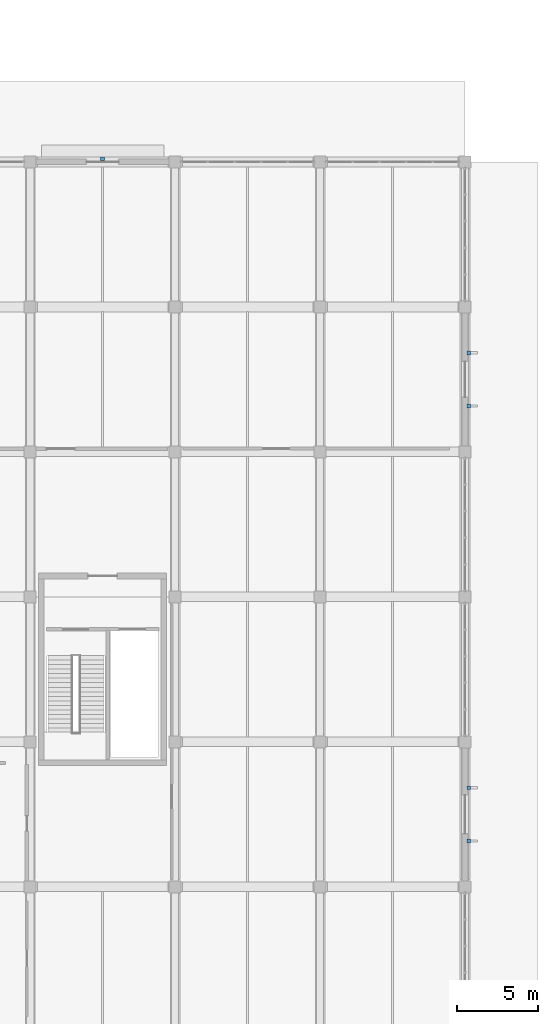
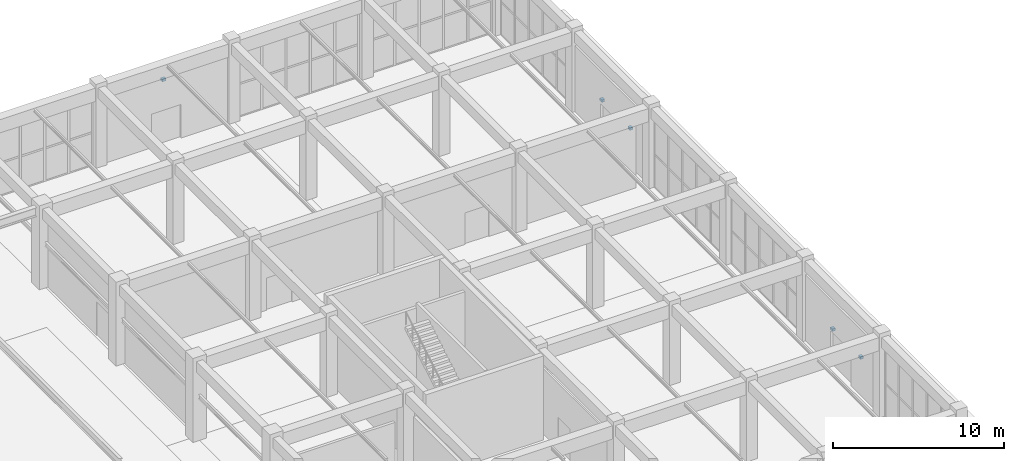
# One storey, part 74 of 91: 5 discrete accessories.
"""IFC4 building model written with IfcOpenShell, lengths in metres."""

import ifcopenshell
import ifcopenshell.guid

model = None  # the IFC model being written
_history = None  # IfcOwnerHistory: only IFC2X3 demands one
_inside = {}  # id of a spatial element -> (the spatial element, [elements in it])
_under = {}  # id of a project, library or spatial element -> (it, [spatial elements below it])
_declared = {}  # id of a project -> (the project, [libraries it declares])
_typed = {}  # id of a type object -> (the type object, [elements of that type])
_made_of = {}  # id of a material, layer set ... -> (it, [elements and type objects made of it])


def new_model(schema):
    """Start an empty IFC model of exactly this schema.

    Asked for "IFC4X3", IfcOpenShell would pick the latest addendum, in which some entities
    have other attributes; the version numbers below select the first issue.
    IFC2X3 requires an IfcOwnerHistory on every rooted entity: one is made here for all.
    """
    global model, _history
    if schema == "IFC4X3":
        model = ifcopenshell.file(schema_version=(4, 3, 0, 0))
    else:
        model = ifcopenshell.file(schema=schema)
    _inside.clear()
    _under.clear()
    _declared.clear()
    _typed.clear()
    _made_of.clear()
    _history = None
    if model.schema == "IFC2X3":
        org = make("IfcOrganization", Name="unknown")
        user = make(
            "IfcPersonAndOrganization",
            ThePerson=make("IfcPerson", FamilyName="unknown"),
            TheOrganization=org,
        )
        app = make(
            "IfcApplication",
            ApplicationDeveloper=org,
            Version="unknown",
            ApplicationFullName="unknown",
            ApplicationIdentifier="unknown",
        )
        _history = make(
            "IfcOwnerHistory",
            OwningUser=user,
            OwningApplication=app,
            ChangeAction="ADDED",
            CreationDate=0,
        )
    return model


def make(cls, **values):
    """One entity of the class cls with the attributes given. An attribute that is None is left unset."""
    return model.create_entity(
        cls, **{name: value for name, value in values.items() if value is not None}
    )


def rooted(cls, **values):
    """An entity with a GlobalId (a new one), such as an element, a storey or a relation."""
    return make(cls, GlobalId=ifcopenshell.guid.new(), OwnerHistory=_history, **values)


def si_unit(unit_type, name, prefix=None):
    """IfcSIUnit, for example si_unit("LENGTHUNIT", "METRE", prefix="MILLI")."""
    return make("IfcSIUnit", UnitType=unit_type, Prefix=prefix, Name=name)


def assignment(units):
    """IfcUnitAssignment: the units of a project."""
    return None if units is None else make("IfcUnitAssignment", Units=units)


def point(xyz):
    """IfcCartesianPoint."""
    return None if xyz is None else make("IfcCartesianPoint", Coordinates=xyz)


def direction(xyz):
    """IfcDirection."""
    return None if xyz is None else make("IfcDirection", DirectionRatios=xyz)


def frame(location, z_axis=None, x_axis=None):
    """IfcAxis2Placement3D, a coordinate frame: its origin and axes. An axis left out is left unset."""
    return make(
        "IfcAxis2Placement3D",
        Location=point(location),
        Axis=direction(z_axis),
        RefDirection=direction(x_axis),
    )


def frame_2d(location, x_axis=None):
    """IfcAxis2Placement2D, a coordinate frame in the plane: its origin and x axis."""
    return make(
        "IfcAxis2Placement2D", Location=point(location), RefDirection=direction(x_axis)
    )


def origin():
    """The frame at (0, 0, 0) with its axes left unset."""
    return frame((0.0, 0.0, 0.0))


def origin_2d():
    """The frame at (0, 0) in the plane with its x axis left unset."""
    return frame_2d((0.0, 0.0))


def place(relative_to, where):
    """IfcLocalPlacement: puts the frame where relative to a parent placement (None: the world)."""
    return make(
        "IfcLocalPlacement", PlacementRelTo=relative_to, RelativePlacement=where
    )


def context(
    kind, dimensions, precision=None, world=None, true_north=None, identifier=None
):
    """IfcGeometricRepresentationContext, for example the 3D "Model" context."""
    return make(
        "IfcGeometricRepresentationContext",
        ContextIdentifier=identifier,
        ContextType=kind,
        CoordinateSpaceDimension=dimensions,
        Precision=precision,
        WorldCoordinateSystem=world,
        TrueNorth=true_north,
    )


def subcontext(parent, identifier, kind, view, scale=None):
    """IfcGeometricRepresentationSubContext, for example "Body" below "Model"."""
    return make(
        "IfcGeometricRepresentationSubContext",
        ContextIdentifier=identifier,
        ContextType=kind,
        ParentContext=parent,
        TargetScale=scale,
        TargetView=view,
    )


def project(units=None, contexts=None):
    """IfcProject with its units and contexts."""
    return rooted(
        "IfcProject",
        Name="project",
        RepresentationContexts=contexts,
        UnitsInContext=assignment(units),
    )


def spatial(cls, under=None, at=None, **own):
    """A site, building, storey or space (cls), placed at a placement, below another one or the project."""
    s = rooted(cls, ObjectPlacement=at, **own)
    if under is not None:
        _under.setdefault(under.id(), (under, []))[1].append(s)
    return s


def profile(cls, at=None, kind="AREA", **sizes):
    """A parametric profile (cls). Its sizes go by their IFC names, for example OverallWidth=200.0."""
    return make(cls, ProfileType=kind, Position=at, **sizes)


def rectangle(**sizes):
    """IfcRectangleProfileDef."""
    return profile("IfcRectangleProfileDef", **sizes)


def extrude(swept, where, along, depth):
    """IfcExtrudedAreaSolid: the profile swept, set in the frame where, extruded along a direction by depth."""
    return make(
        "IfcExtrudedAreaSolid",
        SweptArea=swept,
        Position=where,
        ExtrudedDirection=direction(along),
        Depth=depth,
    )


def shape(context_of_items, identifier, shape_type, items):
    """IfcShapeRepresentation: the items that make up one representation, for example the "Body"."""
    return make(
        "IfcShapeRepresentation",
        ContextOfItems=context_of_items,
        RepresentationIdentifier=identifier,
        RepresentationType=shape_type,
        Items=items,
    )


def material(Name=None, Category=None):
    """IfcMaterial."""
    return make("IfcMaterial", Name=Name, Category=Category)


def layer(
    of_material, thickness, ventilated=None, Name=None, Category=None, Priority=None
):
    """IfcMaterialLayer: one layer of a wall or slab, of a material (None: an air gap)."""
    return make(
        "IfcMaterialLayer",
        Material=of_material,
        LayerThickness=thickness,
        IsVentilated=ventilated,
        Name=Name,
        Category=Category,
        Priority=Priority,
    )


def layer_set(layers, Name=None):
    """IfcMaterialLayerSet."""
    return make("IfcMaterialLayerSet", MaterialLayers=layers, LayerSetName=Name)


def made_of(thing, what):
    """Note that an element or type object is made of a material, layer set ...; save() writes the relation."""
    if what is not None:
        _made_of.setdefault(what.id(), (what, []))[1].append(thing)
    return thing


def type_object(cls, material=None, **own):
    """A type object (cls), such as IfcWallType, which elements share."""
    return made_of(rooted(cls, **own), material)


def element(
    cls,
    number,
    at=None,
    inside=None,
    cuts=None,
    type_object=None,
    material=None,
    context=None,
    identifier="Body",
    shape_type=None,
    held_by="IfcProductDefinitionShape",
    body=None,
    shapes=None,
    **own,
):
    """One element of the class cls, such as IfcWall. Its Tag is "e" and its number.

    at: its placement. inside: the storey or other place that contains it. cuts: it is an
    opening in that element (IfcRelVoidsElement). A single representation is given by context,
    identifier, shape_type and body (its items); several are given by shapes. held_by: the class
    of the entity that holds the representations. save() writes the other relations.
    """
    e = rooted(cls, Tag="e%d" % number, ObjectPlacement=at, **own)
    if body is not None:
        shapes = [shape(context, identifier, shape_type, body)]
    if shapes is not None:
        e.Representation = make(held_by, Representations=shapes)
    if inside is not None:
        _inside.setdefault(inside.id(), (inside, []))[1].append(e)
    if cuts is not None:
        rooted(
            "IfcRelVoidsElement", RelatingBuildingElement=cuts, RelatedOpeningElement=e
        )
    if type_object is not None:
        _typed.setdefault(type_object.id(), (type_object, []))[1].append(e)
    return made_of(e, material)


def aggregate(whole, parts):
    """IfcRelAggregates: a whole, such as a stair, and the parts it consists of."""
    return rooted("IfcRelAggregates", RelatingObject=whole, RelatedObjects=parts)


def save(model, path):
    """Write the relations noted so far, then the file.

    IfcRelAggregates (storeys below a building ...), IfcRelContainedInSpatialStructure (elements
    in a storey), IfcRelDefinesByType, IfcRelAssociatesMaterial and IfcRelDeclares: one each for
    every whole, place, type object, material and project.
    """
    for whole, parts in _under.values():
        aggregate(whole, parts)
    for where, things in _inside.values():
        rooted(
            "IfcRelContainedInSpatialStructure",
            RelatedElements=things,
            RelatingStructure=where,
        )
    for kind, things in _typed.values():
        rooted("IfcRelDefinesByType", RelatedObjects=things, RelatingType=kind)
    for what, things in _made_of.values():
        rooted("IfcRelAssociatesMaterial", RelatedObjects=things, RelatingMaterial=what)
    for by, libraries in _declared.values():
        rooted("IfcRelDeclares", RelatingContext=by, RelatedDefinitions=libraries)
    model.write(path)


model = new_model("IFC4")

# Units and contexts
model_context = context("Model", 3, precision=1e-05, world=origin(), true_north=direction((0.0, 1.0)))
body_context = subcontext(model_context, "Body", "Model", "MODEL_VIEW")
ifc_project = project(units=[si_unit("LENGTHUNIT", "METRE"), si_unit("AREAUNIT", "SQUARE_METRE"), si_unit("VOLUMEUNIT", "CUBIC_METRE"), si_unit("PLANEANGLEUNIT", "RADIAN"), si_unit("MASSUNIT", "GRAM", prefix="KILO")], contexts=[model_context])

# Site, building, storey
site_placement = place(None, origin())
site = spatial("IfcSite", under=ifc_project, at=site_placement, CompositionType="ELEMENT")
building_placement = place(site_placement, origin())
building = spatial("IfcBuilding", under=site, at=building_placement, Name="Dornveld Trade and Exhibition Forum", CompositionType="ELEMENT")
storey_placement = place(building_placement, origin())
storey = spatial("IfcBuildingStorey", under=building, at=storey_placement, Name="L00", CompositionType="ELEMENT", Elevation=0.0)

# Discrete accessories
ifc_material = material(Name="Steel S355J2", Category="steel")
ifc_layer = layer(ifc_material, 0.179931640625)
ifc_layer_set = layer_set([ifc_layer], Name="Steel S355J2")
discrete_accessory_type = type_object("IfcDiscreteAccessoryType", Name="ACC-BRK-STL", PredefinedType="BRACKET", material=ifc_layer_set)
for number, where, z_axis, x_axis, name in (
    (1, (234.22998046875, 11.849853515625, 2.10986328125), (0.0, 0.0, 1.0), (0.0, 1.0, 0.0), "L00 solar fin bracket 1"),
    (2, (234.22998046875, 15.150146484375, 2.10986328125), (0.0, 0.0, 1.0), (0.0, 1.0, 0.0), "L00 solar fin bracket 2"),
    (3, (234.22998046875, 38.849853515625, 2.10986328125), (0.0, 0.0, 1.0), (0.0, 1.0, 0.0), "L00 solar fin bracket 3"),
    (4, (234.22998046875, 42.150146484375, 2.10986328125), (0.0, 0.0, 1.0), (0.0, 1.0, 0.0), "L00 solar fin bracket 4"),
    (5, (211.5, 54.199951171875, 4.22998046875), (0.0, 0.0, 1.0), (-1.0, 0.0, 0.0), "L00 sun-hood bracket 5"),
):
    element("IfcDiscreteAccessory", number, at=place(storey_placement, frame(where, z_axis=z_axis, x_axis=x_axis)), inside=storey, type_object=discrete_accessory_type, Name=name, PredefinedType="BRACKET", context=body_context, shape_type="SweptSolid", body=[
        extrude(rectangle(XDim=0.239990234375, YDim=0.199951171875, at=origin_2d()), origin(), (0.0, 0.0, 1.0), 0.179931640625),
    ])

save(model, "model.ifc")
